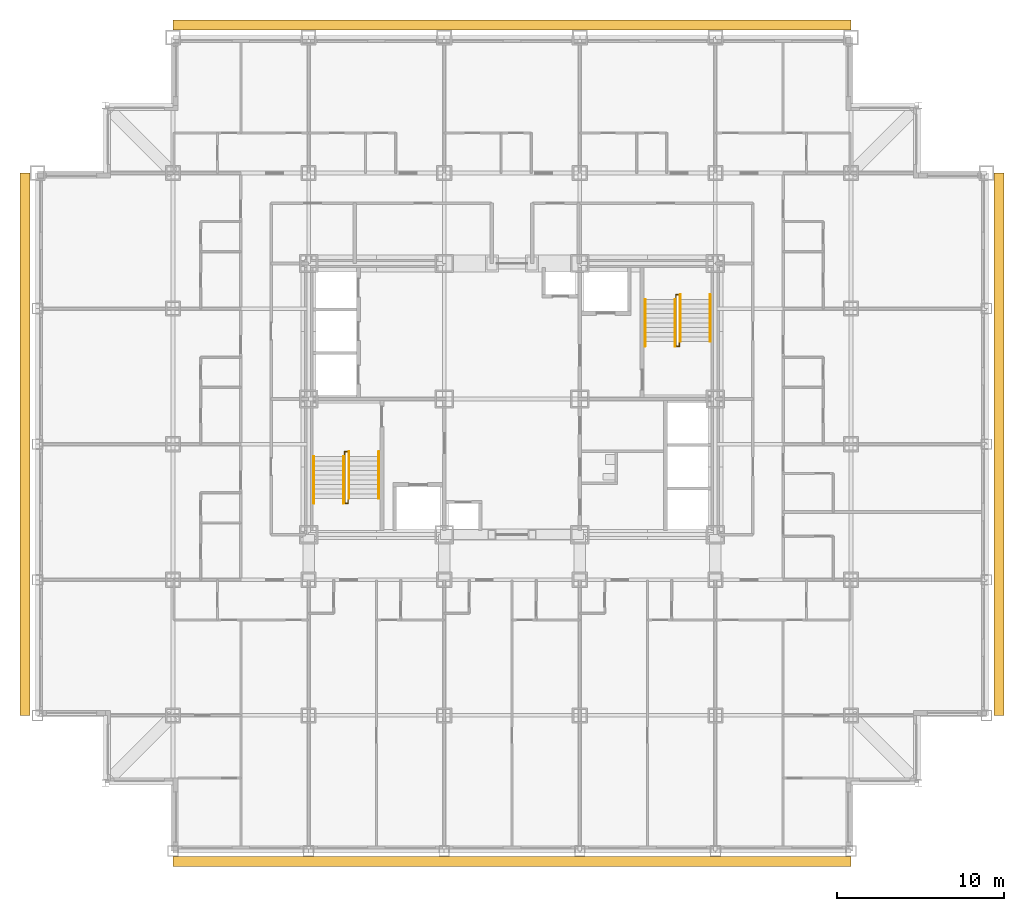
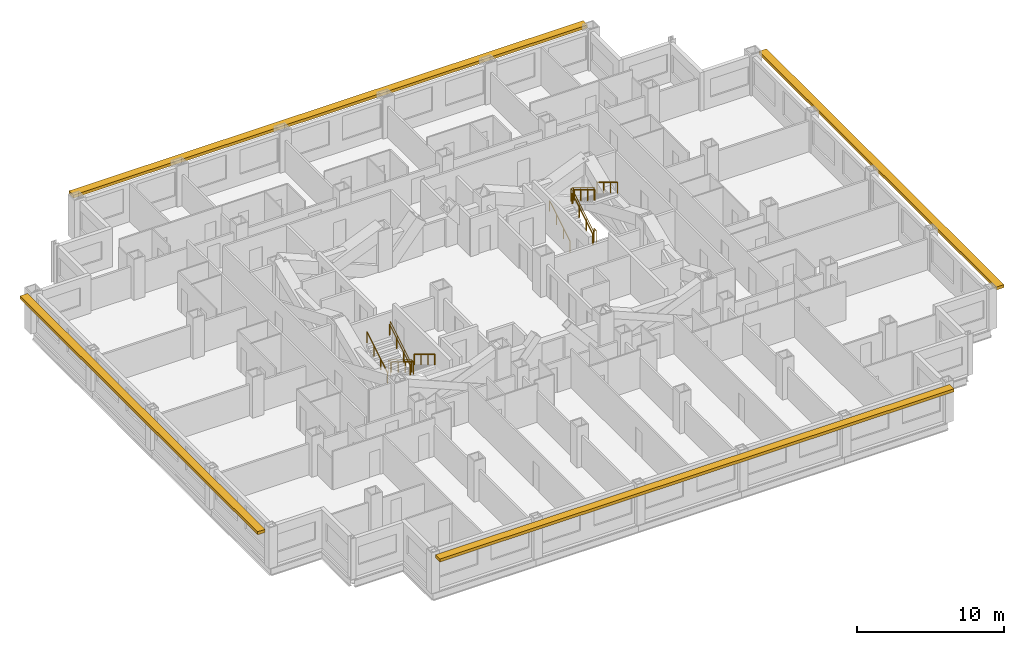
# One storey, part 12 of 13: 10 railings, 4 shading devices.
"""IFC4 building model written with IfcOpenShell, lengths in metres."""

import ifcopenshell
import ifcopenshell.guid

model = None  # the IFC model being written
_history = None  # IfcOwnerHistory: only IFC2X3 demands one
_inside = {}  # id of a spatial element -> (the spatial element, [elements in it])
_under = {}  # id of a project, library or spatial element -> (it, [spatial elements below it])
_declared = {}  # id of a project -> (the project, [libraries it declares])
_typed = {}  # id of a type object -> (the type object, [elements of that type])
_made_of = {}  # id of a material, layer set ... -> (it, [elements and type objects made of it])


def new_model(schema):
    """Start an empty IFC model of exactly this schema.

    Asked for "IFC4X3", IfcOpenShell would pick the latest addendum, in which some entities
    have other attributes; the version numbers below select the first issue.
    IFC2X3 requires an IfcOwnerHistory on every rooted entity: one is made here for all.
    """
    global model, _history
    if schema == "IFC4X3":
        model = ifcopenshell.file(schema_version=(4, 3, 0, 0))
    else:
        model = ifcopenshell.file(schema=schema)
    _inside.clear()
    _under.clear()
    _declared.clear()
    _typed.clear()
    _made_of.clear()
    _history = None
    if model.schema == "IFC2X3":
        org = make("IfcOrganization", Name="unknown")
        user = make(
            "IfcPersonAndOrganization",
            ThePerson=make("IfcPerson", FamilyName="unknown"),
            TheOrganization=org,
        )
        app = make(
            "IfcApplication",
            ApplicationDeveloper=org,
            Version="unknown",
            ApplicationFullName="unknown",
            ApplicationIdentifier="unknown",
        )
        _history = make(
            "IfcOwnerHistory",
            OwningUser=user,
            OwningApplication=app,
            ChangeAction="ADDED",
            CreationDate=0,
        )
    return model


def make(cls, **values):
    """One entity of the class cls with the attributes given. An attribute that is None is left unset."""
    return model.create_entity(
        cls, **{name: value for name, value in values.items() if value is not None}
    )


def rooted(cls, **values):
    """An entity with a GlobalId (a new one), such as an element, a storey or a relation."""
    return make(cls, GlobalId=ifcopenshell.guid.new(), OwnerHistory=_history, **values)


def si_unit(unit_type, name, prefix=None):
    """IfcSIUnit, for example si_unit("LENGTHUNIT", "METRE", prefix="MILLI")."""
    return make("IfcSIUnit", UnitType=unit_type, Prefix=prefix, Name=name)


def assignment(units):
    """IfcUnitAssignment: the units of a project."""
    return None if units is None else make("IfcUnitAssignment", Units=units)


def point(xyz):
    """IfcCartesianPoint."""
    return None if xyz is None else make("IfcCartesianPoint", Coordinates=xyz)


def direction(xyz):
    """IfcDirection."""
    return None if xyz is None else make("IfcDirection", DirectionRatios=xyz)


def frame(location, z_axis=None, x_axis=None):
    """IfcAxis2Placement3D, a coordinate frame: its origin and axes. An axis left out is left unset."""
    return make(
        "IfcAxis2Placement3D",
        Location=point(location),
        Axis=direction(z_axis),
        RefDirection=direction(x_axis),
    )


def frame_2d(location, x_axis=None):
    """IfcAxis2Placement2D, a coordinate frame in the plane: its origin and x axis."""
    return make(
        "IfcAxis2Placement2D", Location=point(location), RefDirection=direction(x_axis)
    )


def origin():
    """The frame at (0, 0, 0) with its axes left unset."""
    return frame((0.0, 0.0, 0.0))


def origin_2d():
    """The frame at (0, 0) in the plane with its x axis left unset."""
    return frame_2d((0.0, 0.0))


def place(relative_to, where):
    """IfcLocalPlacement: puts the frame where relative to a parent placement (None: the world)."""
    return make(
        "IfcLocalPlacement", PlacementRelTo=relative_to, RelativePlacement=where
    )


def context(
    kind, dimensions, precision=None, world=None, true_north=None, identifier=None
):
    """IfcGeometricRepresentationContext, for example the 3D "Model" context."""
    return make(
        "IfcGeometricRepresentationContext",
        ContextIdentifier=identifier,
        ContextType=kind,
        CoordinateSpaceDimension=dimensions,
        Precision=precision,
        WorldCoordinateSystem=world,
        TrueNorth=true_north,
    )


def subcontext(parent, identifier, kind, view, scale=None):
    """IfcGeometricRepresentationSubContext, for example "Body" below "Model"."""
    return make(
        "IfcGeometricRepresentationSubContext",
        ContextIdentifier=identifier,
        ContextType=kind,
        ParentContext=parent,
        TargetScale=scale,
        TargetView=view,
    )


def project(units=None, contexts=None):
    """IfcProject with its units and contexts."""
    return rooted(
        "IfcProject",
        Name="project",
        RepresentationContexts=contexts,
        UnitsInContext=assignment(units),
    )


def spatial(cls, under=None, at=None, **own):
    """A site, building, storey or space (cls), placed at a placement, below another one or the project."""
    s = rooted(cls, ObjectPlacement=at, **own)
    if under is not None:
        _under.setdefault(under.id(), (under, []))[1].append(s)
    return s


def profile(cls, at=None, kind="AREA", **sizes):
    """A parametric profile (cls). Its sizes go by their IFC names, for example OverallWidth=200.0."""
    return make(cls, ProfileType=kind, Position=at, **sizes)


def rectangle(**sizes):
    """IfcRectangleProfileDef."""
    return profile("IfcRectangleProfileDef", **sizes)


def circle(**sizes):
    """IfcCircleProfileDef."""
    return profile("IfcCircleProfileDef", **sizes)


def extrude(swept, where, along, depth):
    """IfcExtrudedAreaSolid: the profile swept, set in the frame where, extruded along a direction by depth."""
    return make(
        "IfcExtrudedAreaSolid",
        SweptArea=swept,
        Position=where,
        ExtrudedDirection=direction(along),
        Depth=depth,
    )


def shape(context_of_items, identifier, shape_type, items):
    """IfcShapeRepresentation: the items that make up one representation, for example the "Body"."""
    return make(
        "IfcShapeRepresentation",
        ContextOfItems=context_of_items,
        RepresentationIdentifier=identifier,
        RepresentationType=shape_type,
        Items=items,
    )


def material(Name=None, Category=None):
    """IfcMaterial."""
    return make("IfcMaterial", Name=Name, Category=Category)


def made_of(thing, what):
    """Note that an element or type object is made of a material, layer set ...; save() writes the relation."""
    if what is not None:
        _made_of.setdefault(what.id(), (what, []))[1].append(thing)
    return thing


def type_object(cls, material=None, **own):
    """A type object (cls), such as IfcWallType, which elements share."""
    return made_of(rooted(cls, **own), material)


def element(
    cls,
    number,
    at=None,
    inside=None,
    cuts=None,
    type_object=None,
    material=None,
    context=None,
    identifier="Body",
    shape_type=None,
    held_by="IfcProductDefinitionShape",
    body=None,
    shapes=None,
    **own,
):
    """One element of the class cls, such as IfcWall. Its Tag is "e" and its number.

    at: its placement. inside: the storey or other place that contains it. cuts: it is an
    opening in that element (IfcRelVoidsElement). A single representation is given by context,
    identifier, shape_type and body (its items); several are given by shapes. held_by: the class
    of the entity that holds the representations. save() writes the other relations.
    """
    e = rooted(cls, Tag="e%d" % number, ObjectPlacement=at, **own)
    if body is not None:
        shapes = [shape(context, identifier, shape_type, body)]
    if shapes is not None:
        e.Representation = make(held_by, Representations=shapes)
    if inside is not None:
        _inside.setdefault(inside.id(), (inside, []))[1].append(e)
    if cuts is not None:
        rooted(
            "IfcRelVoidsElement", RelatingBuildingElement=cuts, RelatedOpeningElement=e
        )
    if type_object is not None:
        _typed.setdefault(type_object.id(), (type_object, []))[1].append(e)
    return made_of(e, material)


def aggregate(whole, parts):
    """IfcRelAggregates: a whole, such as a stair, and the parts it consists of."""
    return rooted("IfcRelAggregates", RelatingObject=whole, RelatedObjects=parts)


def save(model, path):
    """Write the relations noted so far, then the file.

    IfcRelAggregates (storeys below a building ...), IfcRelContainedInSpatialStructure (elements
    in a storey), IfcRelDefinesByType, IfcRelAssociatesMaterial and IfcRelDeclares: one each for
    every whole, place, type object, material and project.
    """
    for whole, parts in _under.values():
        aggregate(whole, parts)
    for where, things in _inside.values():
        rooted(
            "IfcRelContainedInSpatialStructure",
            RelatedElements=things,
            RelatingStructure=where,
        )
    for kind, things in _typed.values():
        rooted("IfcRelDefinesByType", RelatedObjects=things, RelatingType=kind)
    for what, things in _made_of.values():
        rooted("IfcRelAssociatesMaterial", RelatedObjects=things, RelatingMaterial=what)
    for by, libraries in _declared.values():
        rooted("IfcRelDeclares", RelatingContext=by, RelatedDefinitions=libraries)
    model.write(path)


model = new_model("IFC4")

# Units and contexts
model_context = context("Model", 3, precision=1e-05, world=origin(), true_north=direction((0.0, 1.0)))
body_context = subcontext(model_context, "Body", "Model", "MODEL_VIEW")
ifc_project = project(units=[si_unit("LENGTHUNIT", "METRE"), si_unit("AREAUNIT", "SQUARE_METRE"), si_unit("VOLUMEUNIT", "CUBIC_METRE"), si_unit("PLANEANGLEUNIT", "RADIAN"), si_unit("MASSUNIT", "GRAM", prefix="KILO")], contexts=[model_context])

# Site, building, storey
site_placement = place(None, origin())
site = spatial("IfcSite", under=ifc_project, at=site_placement, CompositionType="ELEMENT")
building_placement = place(site_placement, origin())
building = spatial("IfcBuilding", under=site, at=building_placement, Name="Kopane Lantern Tower", CompositionType="ELEMENT")
storey_placement = place(building_placement, frame((0.0, 0.0, 110.199951171875)))
storey = spatial("IfcBuildingStorey", under=building, at=storey_placement, Name="L27", CompositionType="ELEMENT", Elevation=110.199951171875)

# Railings
ifc_material_1 = material(Name="Steel", Category="steel")
railing_type_1 = type_object("IfcRailingType", Name="STAIR GUARD 1100", PredefinedType="GUARDRAIL", material=ifc_material_1)
railing_1_placement = place(storey_placement, frame((18.35009765625, 28.969970703125, 0.0)))
element("IfcRailing", 1, at=railing_1_placement, inside=storey, type_object=railing_type_1, Name="ST1 well guard L27", PredefinedType="GUARDRAIL", context=body_context, shape_type="SweptSolid", body=[
    extrude(circle(Radius=0.02392578125, at=origin_2d()), frame((0.0, 0.0, 1.076171875), z_axis=(0.0, 1.0, 0.0), x_axis=(-1.0, 0.0, 0.0)), (0.0, 0.0, 1.0), 0.280029296875),
    extrude(circle(Radius=0.02392578125, at=origin_2d()), frame((0.0, 0.280029296875, 1.076171875), z_axis=(1.0, 0.0, 0.0), x_axis=(0.0, 1.0, 0.0)), (0.0, 0.0, 1.0), 0.199951171875),
    extrude(circle(Radius=0.02392578125, at=origin_2d()), frame((0.199951171875, 0.280029296875, 1.076171875), z_axis=(0.0, -0.854798142509, 0.518960630071), x_axis=(1.0, 0.0, 0.0)), (0.0, 0.0, 1.0), 3.275634765625),
    extrude(circle(Radius=0.02392578125, at=origin_2d()), frame((0.199951171875, -2.52001953125, 2.77587890625), z_axis=(0.0, -1.0, 0.0), x_axis=(1.0, 0.0, 0.0)), (0.0, 0.0, 1.0), 0.280029296875),
    extrude(circle(Radius=0.02392578125, at=origin_2d()), frame((0.199951171875, -2.800048828125, 2.77587890625), z_axis=(-1.0, 0.0, 0.0), x_axis=(0.0, -1.0, 0.0)), (0.0, 0.0, 1.0), 0.199951171875),
    extrude(circle(Radius=0.02392578125, at=origin_2d()), frame((0.0, -2.800048828125, 2.77587890625), z_axis=(0.0, 0.854765079529, 0.519015085347), x_axis=(-1.0, 0.0, 0.0)), (0.0, 0.0, 1.0), 3.27587890625),
    extrude(circle(Radius=0.02099609375, at=origin_2d()), origin(), (0.0, 0.0, 1.0), 1.052001953125),
    extrude(circle(Radius=0.02099609375, at=origin_2d()), frame((0.0, 0.280029296875, 0.0)), (0.0, 0.0, 1.0), 1.052001953125),
    extrude(circle(Radius=0.02099609375, at=origin_2d()), frame((0.199951171875, 0.280029296875, 0.0)), (0.0, 0.0, 1.0), 1.052001953125),
    extrude(circle(Radius=0.02099609375, at=origin_2d()), frame((0.199951171875, -0.6533203125, 0.566650390625)), (0.0, 0.0, 1.0), 1.052001953125),
    extrude(circle(Radius=0.02099609375, at=origin_2d()), frame((0.199951171875, -1.586669921875, 1.13330078125)), (0.0, 0.0, 1.0), 1.052001953125),
    extrude(circle(Radius=0.02099609375, at=origin_2d()), frame((0.199951171875, -2.52001953125, 1.699951171875)), (0.0, 0.0, 1.0), 1.052001953125),
    extrude(circle(Radius=0.02099609375, at=origin_2d()), frame((0.199951171875, -2.800048828125, 1.699951171875)), (0.0, 0.0, 1.0), 1.052001953125),
    extrude(circle(Radius=0.02099609375, at=origin_2d()), frame((0.0, -2.800048828125, 1.699951171875)), (0.0, 0.0, 1.0), 1.052001953125),
    extrude(circle(Radius=0.02099609375, at=origin_2d()), frame((0.0, -1.86669921875, 2.2666015625)), (0.0, 0.0, 1.0), 1.052001953125),
    extrude(circle(Radius=0.02099609375, at=origin_2d()), frame((0.0, -0.933349609375, 2.83349609375)), (0.0, 0.0, 1.0), 1.052001953125),
    extrude(circle(Radius=0.02099609375, at=origin_2d()), frame((0.0, 0.0, 3.400146484375)), (0.0, 0.0, 1.0), 1.052001953125),
])
railing_2_placement = place(storey_placement, frame((38.35009765625, 35.830078125, 0.0)))
element("IfcRailing", 2, at=railing_2_placement, inside=storey, type_object=railing_type_1, Name="ST2 well guard L27", PredefinedType="GUARDRAIL", context=body_context, shape_type="SweptSolid", body=[
    extrude(circle(Radius=0.02392578125, at=origin_2d()), frame((0.0, 0.0, 1.076171875), z_axis=(0.0, -1.0, 0.0), x_axis=(1.0, 0.0, 0.0)), (0.0, 0.0, 1.0), 0.280029296875),
    extrude(circle(Radius=0.02392578125, at=origin_2d()), frame((0.0, -0.280029296875, 1.076171875), z_axis=(-1.0, 0.0, 0.0), x_axis=(0.0, -1.0, 0.0)), (0.0, 0.0, 1.0), 0.2001953125),
    extrude(circle(Radius=0.02392578125, at=origin_2d()), frame((-0.2001953125, -0.280029296875, 1.076171875), z_axis=(0.0, 0.854798142509, 0.518960630071), x_axis=(-1.0, 0.0, 0.0)), (0.0, 0.0, 1.0), 3.275634765625),
    extrude(circle(Radius=0.02392578125, at=origin_2d()), frame((-0.2001953125, 2.52001953125, 2.77587890625), z_axis=(0.0, 1.0, 0.0), x_axis=(-1.0, 0.0, 0.0)), (0.0, 0.0, 1.0), 0.27978515625),
    extrude(circle(Radius=0.02392578125, at=origin_2d()), frame((-0.2001953125, 2.7998046875, 2.77587890625), z_axis=(1.0, 0.0, 0.0), x_axis=(0.0, 1.0, 0.0)), (0.0, 0.0, 1.0), 0.2001953125),
    extrude(circle(Radius=0.02392578125, at=origin_2d()), frame((0.0, 2.7998046875, 2.77587890625), z_axis=(0.0, -0.854745001426, 0.5190481505), x_axis=(1.0, 0.0, 0.0)), (0.0, 0.0, 1.0), 3.275634765625),
    extrude(circle(Radius=0.02099609375, at=origin_2d()), origin(), (0.0, 0.0, 1.0), 1.052001953125),
    extrude(circle(Radius=0.02099609375, at=origin_2d()), frame((0.0, -0.280029296875, 0.0)), (0.0, 0.0, 1.0), 1.052001953125),
    extrude(circle(Radius=0.02099609375, at=origin_2d()), frame((-0.2001953125, -0.280029296875, 0.0)), (0.0, 0.0, 1.0), 1.052001953125),
    extrude(circle(Radius=0.02099609375, at=origin_2d()), frame((-0.2001953125, 0.6533203125, 0.566650390625)), (0.0, 0.0, 1.0), 1.052001953125),
    extrude(circle(Radius=0.02099609375, at=origin_2d()), frame((-0.2001953125, 1.586669921875, 1.13330078125)), (0.0, 0.0, 1.0), 1.052001953125),
    extrude(circle(Radius=0.02099609375, at=origin_2d()), frame((-0.2001953125, 2.52001953125, 1.699951171875)), (0.0, 0.0, 1.0), 1.052001953125),
    extrude(circle(Radius=0.02099609375, at=origin_2d()), frame((-0.2001953125, 2.7998046875, 1.699951171875)), (0.0, 0.0, 1.0), 1.052001953125),
    extrude(circle(Radius=0.02099609375, at=origin_2d()), frame((0.0, 2.7998046875, 1.699951171875)), (0.0, 0.0, 1.0), 1.052001953125),
    extrude(circle(Radius=0.02099609375, at=origin_2d()), frame((0.0, 1.866455078125, 2.2666015625)), (0.0, 0.0, 1.0), 1.052001953125),
    extrude(circle(Radius=0.02099609375, at=origin_2d()), frame((0.0, 0.933349609375, 2.83349609375)), (0.0, 0.0, 1.0), 1.052001953125),
    extrude(circle(Radius=0.02099609375, at=origin_2d()), frame((0.0, 0.0, 3.400146484375)), (0.0, 0.0, 1.0), 1.052001953125),
])
ifc_material_2 = material(Name="Steel", Category="steel")
railing_type_2 = type_object("IfcRailingType", Name="STAIR HANDRAIL 900", PredefinedType="HANDRAIL", material=ifc_material_2)
for number, where, name in (
    (3, (20.389892578125, 29.25, 0.0), "ST1 handrail L27 flight 1"),
    (4, (18.610107421875, 29.25, 0.0), "ST1 handrail L27 flight 1"),
):
    element("IfcRailing", number, at=place(storey_placement, frame(where)), inside=storey, type_object=railing_type_2, Name=name, PredefinedType="HANDRAIL", context=body_context, shape_type="SweptSolid", body=[
        extrude(circle(Radius=0.02392578125, at=origin_2d()), frame((0.0, 0.0, 0.8759765625), z_axis=(0.0, -0.854798142509, 0.518960630071), x_axis=(1.0, 0.0, 0.0)), (0.0, 0.0, 1.0), 3.275634765625),
        extrude(circle(Radius=0.02099609375, at=origin_2d()), origin(), (0.0, 0.0, 1.0), 0.851806640625),
        extrude(circle(Radius=0.02099609375, at=origin_2d()), frame((0.0, -0.933349609375, 0.566650390625)), (0.0, 0.0, 1.0), 0.851806640625),
        extrude(circle(Radius=0.02099609375, at=origin_2d()), frame((0.0, -1.86669921875, 1.13330078125)), (0.0, 0.0, 1.0), 0.851806640625),
        extrude(circle(Radius=0.02099609375, at=origin_2d()), frame((0.0, -2.800048828125, 1.699951171875)), (0.0, 0.0, 1.0), 0.851806640625),
    ])
for number, where, name in (
    (5, (16.510009765625, 26.169921875, 1.699951171875), "ST1 handrail L27 flight 2"),
    (6, (18.2900390625, 26.169921875, 1.699951171875), "ST1 handrail L27 flight 2"),
):
    element("IfcRailing", number, at=place(storey_placement, frame(where)), inside=storey, type_object=railing_type_2, Name=name, PredefinedType="HANDRAIL", context=body_context, shape_type="SweptSolid", body=[
        extrude(circle(Radius=0.02392578125, at=origin_2d()), frame((0.0, 0.0, 0.8759765625), z_axis=(0.0, 0.854765079529, 0.519015085347), x_axis=(-1.0, 0.0, 0.0)), (0.0, 0.0, 1.0), 3.27587890625),
        extrude(circle(Radius=0.02099609375, at=origin_2d()), origin(), (0.0, 0.0, 1.0), 0.851806640625),
        extrude(circle(Radius=0.02099609375, at=origin_2d()), frame((0.0, 0.933349609375, 0.566650390625)), (0.0, 0.0, 1.0), 0.851806640625),
        extrude(circle(Radius=0.02099609375, at=origin_2d()), frame((0.0, 1.86669921875, 1.133544921875)), (0.0, 0.0, 1.0), 0.851806640625),
        extrude(circle(Radius=0.02099609375, at=origin_2d()), frame((0.0, 2.800048828125, 1.7001953125)), (0.0, 0.0, 1.0), 0.851806640625),
    ])
for number, where, name in (
    (7, (36.31005859375, 35.550048828125, 0.0), "ST2 handrail L27 flight 1"),
    (8, (38.090087890625, 35.550048828125, 0.0), "ST2 handrail L27 flight 1"),
):
    element("IfcRailing", number, at=place(storey_placement, frame(where)), inside=storey, type_object=railing_type_2, Name=name, PredefinedType="HANDRAIL", context=body_context, shape_type="SweptSolid", body=[
        extrude(circle(Radius=0.02392578125, at=origin_2d()), frame((0.0, 0.0, 0.8759765625), z_axis=(0.0, 0.854798142509, 0.518960630071), x_axis=(-1.0, 0.0, 0.0)), (0.0, 0.0, 1.0), 3.275634765625),
        extrude(circle(Radius=0.02099609375, at=origin_2d()), origin(), (0.0, 0.0, 1.0), 0.851806640625),
        extrude(circle(Radius=0.02099609375, at=origin_2d()), frame((0.0, 0.933349609375, 0.566650390625)), (0.0, 0.0, 1.0), 0.851806640625),
        extrude(circle(Radius=0.02099609375, at=origin_2d()), frame((0.0, 1.86669921875, 1.13330078125)), (0.0, 0.0, 1.0), 0.851806640625),
        extrude(circle(Radius=0.02099609375, at=origin_2d()), frame((0.0, 2.800048828125, 1.699951171875)), (0.0, 0.0, 1.0), 0.851806640625),
    ])
for number, where, name in (
    (9, (40.18994140625, 38.6298828125, 1.699951171875), "ST2 handrail L27 flight 2"),
    (10, (38.409912109375, 38.6298828125, 1.699951171875), "ST2 handrail L27 flight 2"),
):
    element("IfcRailing", number, at=place(storey_placement, frame(where)), inside=storey, type_object=railing_type_2, Name=name, PredefinedType="HANDRAIL", context=body_context, shape_type="SweptSolid", body=[
        extrude(circle(Radius=0.02392578125, at=origin_2d()), frame((0.0, 0.0, 0.8759765625), z_axis=(0.0, -0.854745001426, 0.5190481505), x_axis=(1.0, 0.0, 0.0)), (0.0, 0.0, 1.0), 3.275634765625),
        extrude(circle(Radius=0.02099609375, at=origin_2d()), origin(), (0.0, 0.0, 1.0), 0.851806640625),
        extrude(circle(Radius=0.02099609375, at=origin_2d()), frame((0.0, -0.933349609375, 0.566650390625)), (0.0, 0.0, 1.0), 0.851806640625),
        extrude(circle(Radius=0.02099609375, at=origin_2d()), frame((0.0, -1.866455078125, 1.133544921875)), (0.0, 0.0, 1.0), 0.851806640625),
        extrude(circle(Radius=0.02099609375, at=origin_2d()), frame((0.0, -2.7998046875, 1.7001953125)), (0.0, 0.0, 1.0), 0.851806640625),
    ])

# Shading devices
ifc_material_3 = material(Name="Terracotta rainscreen on light steel framing", Category="masonry")
shading_device_type = type_object("IfcShadingDeviceType", Name="SUNSHADE BAND SB1 600 TERRACOTTA", PredefinedType="USERDEFINED", material=ifc_material_3)
shading_device_1_placement = place(storey_placement, frame((28.35009765625, 4.77490234375, 2.900146484375), z_axis=(0.0, 0.0, 1.0), x_axis=(1.0, 0.0, 0.0)))
element("IfcShadingDevice", 11, at=shading_device_1_placement, inside=storey, type_object=shading_device_type, Name="Sunshade band S L27", ObjectType="SUNSHADE BAND", PredefinedType="USERDEFINED", context=body_context, shape_type="SweptSolid", body=[
    extrude(rectangle(XDim=40.5, YDim=0.60009765625, at=origin_2d()), origin(), (0.0, 0.0, 1.0), 0.25),
])
shading_device_2_placement = place(storey_placement, frame((57.449951171875, 29.699951171875, 2.900146484375), z_axis=(0.0, 0.0, 1.0), x_axis=(0.0, 1.0, 0.0)))
element("IfcShadingDevice", 12, at=shading_device_2_placement, inside=storey, type_object=shading_device_type, Name="Sunshade band E L27", ObjectType="SUNSHADE BAND", PredefinedType="USERDEFINED", context=body_context, shape_type="SweptSolid", body=[
    extrude(rectangle(XDim=32.39990234375, YDim=0.60009765625, at=origin_2d()), origin(), (0.0, 0.0, 1.0), 0.25),
])
shading_device_3_placement = place(storey_placement, frame((28.35009765625, 54.75, 2.900146484375), z_axis=(0.0, 0.0, 1.0), x_axis=(-1.0, 0.0, 0.0)))
element("IfcShadingDevice", 13, at=shading_device_3_placement, inside=storey, type_object=shading_device_type, Name="Sunshade band N L27", ObjectType="SUNSHADE BAND", PredefinedType="USERDEFINED", context=body_context, shape_type="SweptSolid", body=[
    extrude(rectangle(XDim=40.5, YDim=0.60009765625, at=origin_2d()), origin(), (0.0, 0.0, 1.0), 0.25),
])
shading_device_4_placement = place(storey_placement, frame((-0.75, 29.699951171875, 2.900146484375), z_axis=(0.0, 0.0, 1.0), x_axis=(0.0, -1.0, 0.0)))
element("IfcShadingDevice", 14, at=shading_device_4_placement, inside=storey, type_object=shading_device_type, Name="Sunshade band W L27", ObjectType="SUNSHADE BAND", PredefinedType="USERDEFINED", context=body_context, shape_type="SweptSolid", body=[
    extrude(rectangle(XDim=32.39990234375, YDim=0.60009765625, at=origin_2d()), origin(), (0.0, 0.0, 1.0), 0.25),
])

save(model, "model.ifc")
